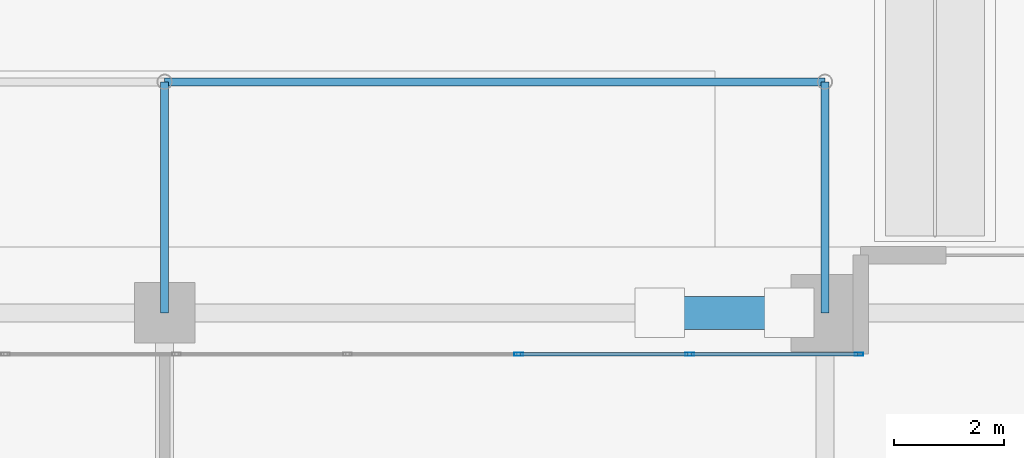
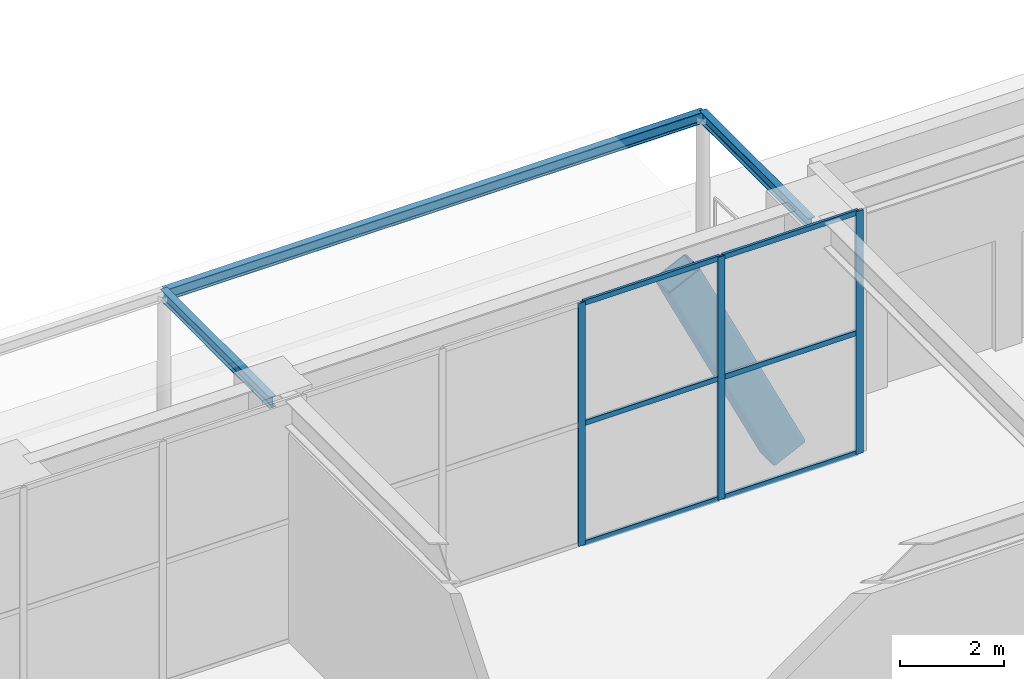
# One storey, part 29 of 49: 10 members, 3 beams, 1 element without a shape of its own.
"""IFC4 building model written with IfcOpenShell, lengths in metres."""

from ifc_helpers import new_model, si_unit, direction, frame, origin, origin_2d, place, context, subcontext, project, spatial, hollow_rectangle, i_section, extrude, material, layer, layer_set, material_profile, profile_set, type_object, element, aggregate, save


model = new_model("IFC4")

# Units and contexts
model_context = context("Model", 3, precision=1e-05, world=origin(), true_north=direction((0.0, 1.0)))
body_context = subcontext(model_context, "Body", "Model", "MODEL_VIEW")
ifc_project = project(units=[si_unit("LENGTHUNIT", "METRE"), si_unit("AREAUNIT", "SQUARE_METRE"), si_unit("VOLUMEUNIT", "CUBIC_METRE"), si_unit("PLANEANGLEUNIT", "RADIAN"), si_unit("MASSUNIT", "GRAM", prefix="KILO")], contexts=[model_context])

# Site, building, storey
site_placement = place(None, origin())
site = spatial("IfcSite", under=ifc_project, at=site_placement, CompositionType="ELEMENT")
building_placement = place(site_placement, origin())
building = spatial("IfcBuilding", under=site, at=building_placement, Name="Sarneth Arch Tower", CompositionType="ELEMENT")
storey_placement = place(building_placement, origin())
storey = spatial("IfcBuildingStorey", under=building, at=storey_placement, Name="L00", CompositionType="ELEMENT", Elevation=0.0)

# Beams
ifc_material_1 = material(Name="Steel S355", Category="steel")
ifc_material_profile_1 = material_profile(ifc_material_1, i_section(OverallWidth=0.14794921875, OverallDepth=0.26611328125, WebThickness=0.007568359375, FlangeThickness=0.012939453125, FilletRadius=0.012939453125, at=origin_2d()), Name="W250x44.8")
ifc_profile_set_1 = profile_set([ifc_material_profile_1], Name="Steel S355")
beam_type = type_object("IfcBeamType", Name="BM-JOIST-250", PredefinedType="JOIST", material=ifc_profile_set_1)
for number, where, z_axis, x_axis, name in (
    (1, (54.0, 74.800048828125, 5.159912109375), (0.0, 1.0, 0.0), (-1.0, 0.0, 0.0), "Entrance canopy outrigger beam NORTH.3"),
    (2, (66.0, 74.800048828125, 5.159912109375), (0.0, 1.0, 0.0), (-1.0, 0.0, 0.0), "Entrance canopy outrigger beam NORTH.4"),
):
    element("IfcBeam", number, at=place(storey_placement, frame(where, z_axis=z_axis, x_axis=x_axis)), inside=storey, type_object=beam_type, Name=name, PredefinedType="JOIST", context=body_context, shape_type="SweptSolid", body=[
        extrude(i_section(OverallWidth=0.14794921875, OverallDepth=0.26611328125, WebThickness=0.007568359375, FlangeThickness=0.012939453125, FilletRadius=0.012939453125, at=origin_2d()), origin(), (0.0, 0.0, 1.0), 4.199951171875),
    ])
beam_placement = place(storey_placement, frame((54.0, 79.0, 5.159912109375), z_axis=(1.0, 0.0, 0.0), x_axis=(0.0, 1.0, 0.0)))
element("IfcBeam", 3, at=beam_placement, inside=storey, type_object=beam_type, Name="Entrance canopy edge beam NORTH.3", PredefinedType="JOIST", context=body_context, shape_type="SweptSolid", body=[
    extrude(i_section(OverallWidth=0.14794921875, OverallDepth=0.26611328125, WebThickness=0.007568359375, FlangeThickness=0.012939453125, FilletRadius=0.012939453125, at=origin_2d()), origin(), (0.0, 0.0, 1.0), 12.0),
])

# Curtain wall, members
ifc_material_2 = material(Name="Anodised aluminium Type AA25 and solar-control low-e laminated IGU", Category="aluminium")
ifc_layer = layer(ifc_material_2, 0.199951171875)
ifc_layer_set = layer_set([ifc_layer], Name="Anodised aluminium Type AA25 and solar-control low-e laminated IGU")
curtain_wall_type = type_object("IfcCurtainWallType", Name="CW-ARCH-GLAZE", PredefinedType="NOTDEFINED", material=ifc_layer_set)
curtain_wall_placement = place(storey_placement, origin())
curtain_wall = element("IfcCurtainWall", 4, at=curtain_wall_placement, inside=storey, type_object=curtain_wall_type, Name="L00 North parabolic arch portal curtain wall", PredefinedType="NOTDEFINED")
ifc_material_3 = material(Name="Anodised Aluminium 6063-T6", Category="aluminium")
ifc_material_profile_2 = material_profile(ifc_material_3, hollow_rectangle(XDim=0.06005859375, YDim=0.159912109375, WallThickness=0.00390625, at=origin_2d()), Name="AL-MULL-160x60x4")
ifc_profile_set_2 = profile_set([ifc_material_profile_2], Name="Anodised Aluminium 6063-T6")
member_type_1 = type_object("IfcMemberType", Name="CW-MULLION", PredefinedType="MULLION", material=ifc_profile_set_2)
member_1_placement = place(storey_placement, frame((66.6201171875, 74.050048828125, 0.0), z_axis=(0.0, 0.0, 1.0), x_axis=(0.0, -1.0, 0.0)))
member_1 = element("IfcMember", 5, at=member_1_placement, type_object=member_type_1, Name="CW-SYS-2 mullion 1", PredefinedType="MULLION", context=body_context, shape_type="SweptSolid", body=[
    extrude(hollow_rectangle(XDim=0.06005859375, YDim=0.159912109375, WallThickness=0.00390625, at=origin_2d()), origin(), (0.0, 0.0, 1.0), 5.719970703125),
])
member_2_placement = place(storey_placement, frame((63.541748046875, 74.050048828125, 0.0), z_axis=(0.0, 0.0, 1.0), x_axis=(0.0, -1.0, 0.0)))
member_2 = element("IfcMember", 6, at=member_2_placement, type_object=member_type_1, Name="CW-SYS-2 mullion 2", PredefinedType="MULLION", context=body_context, shape_type="SweptSolid", body=[
    extrude(hollow_rectangle(XDim=0.06005859375, YDim=0.159912109375, WallThickness=0.00390625, at=origin_2d()), origin(), (0.0, 0.0, 1.0), 5.719970703125),
])
member_3_placement = place(storey_placement, frame((60.433349609375, 74.050048828125, 0.0), z_axis=(0.0, 0.0, 1.0), x_axis=(0.0, -1.0, 0.0)))
member_3 = element("IfcMember", 7, at=member_3_placement, type_object=member_type_1, Name="CW-SYS-2 mullion 3", PredefinedType="MULLION", context=body_context, shape_type="SweptSolid", body=[
    extrude(hollow_rectangle(XDim=0.06005859375, YDim=0.159912109375, WallThickness=0.00390625, at=origin_2d()), origin(), (0.0, 0.0, 1.0), 5.719970703125),
])
ifc_material_4 = material(Name="Anodised Aluminium 6063-T6", Category="aluminium")
ifc_material_profile_3 = material_profile(ifc_material_4, hollow_rectangle(XDim=0.06005859375, YDim=0.1201171875, WallThickness=0.00390625, at=origin_2d()), Name="AL-TRAN-120x60x4")
ifc_profile_set_3 = profile_set([ifc_material_profile_3], Name="Anodised Aluminium 6063-T6")
member_type_2 = type_object("IfcMemberType", Name="CW-TRANSOM", PredefinedType="USERDEFINED", material=ifc_profile_set_3)
member_4_placement = place(storey_placement, frame((66.590087890625, 74.050048828125, 0.030029296875), z_axis=(-1.0, 0.0, 0.0), x_axis=(0.0, -1.0, 0.0)))
member_4 = element("IfcMember", 8, at=member_4_placement, type_object=member_type_2, Name="CW-SYS-2 transom 1.1", ObjectType="TRANSOM", PredefinedType="USERDEFINED", context=body_context, shape_type="SweptSolid", body=[
    extrude(hollow_rectangle(XDim=0.06005859375, YDim=0.1201171875, WallThickness=0.00390625, at=origin_2d()), origin(), (0.0, 0.0, 1.0), 3.018310546875),
])
member_5_placement = place(storey_placement, frame((66.590087890625, 74.050048828125, 2.860107421875), z_axis=(-1.0, 0.0, 0.0), x_axis=(0.0, -1.0, 0.0)))
member_5 = element("IfcMember", 9, at=member_5_placement, type_object=member_type_2, Name="CW-SYS-2 transom 1.2", ObjectType="TRANSOM", PredefinedType="USERDEFINED", context=body_context, shape_type="SweptSolid", body=[
    extrude(hollow_rectangle(XDim=0.06005859375, YDim=0.1201171875, WallThickness=0.00390625, at=origin_2d()), origin(), (0.0, 0.0, 1.0), 3.018310546875),
])
member_6_placement = place(storey_placement, frame((66.590087890625, 74.050048828125, 5.68994140625), z_axis=(-1.0, 0.0, 0.0), x_axis=(0.0, -1.0, 0.0)))
member_6 = element("IfcMember", 10, at=member_6_placement, type_object=member_type_2, Name="CW-SYS-2 transom 1.3", ObjectType="TRANSOM", PredefinedType="USERDEFINED", context=body_context, shape_type="SweptSolid", body=[
    extrude(hollow_rectangle(XDim=0.06005859375, YDim=0.1201171875, WallThickness=0.00390625, at=origin_2d()), origin(), (0.0, 0.0, 1.0), 3.018310546875),
])
member_7_placement = place(storey_placement, frame((63.51171875, 74.050048828125, 0.030029296875), z_axis=(-1.0, 0.0, 0.0), x_axis=(0.0, -1.0, 0.0)))
member_7 = element("IfcMember", 11, at=member_7_placement, type_object=member_type_2, Name="CW-SYS-2 transom 2.1", ObjectType="TRANSOM", PredefinedType="USERDEFINED", context=body_context, shape_type="SweptSolid", body=[
    extrude(hollow_rectangle(XDim=0.06005859375, YDim=0.1201171875, WallThickness=0.00390625, at=origin_2d()), origin(), (0.0, 0.0, 1.0), 3.04833984375),
])
member_8_placement = place(storey_placement, frame((63.51171875, 74.050048828125, 2.860107421875), z_axis=(-1.0, 0.0, 0.0), x_axis=(0.0, -1.0, 0.0)))
member_8 = element("IfcMember", 12, at=member_8_placement, type_object=member_type_2, Name="CW-SYS-2 transom 2.2", ObjectType="TRANSOM", PredefinedType="USERDEFINED", context=body_context, shape_type="SweptSolid", body=[
    extrude(hollow_rectangle(XDim=0.06005859375, YDim=0.1201171875, WallThickness=0.00390625, at=origin_2d()), origin(), (0.0, 0.0, 1.0), 3.04833984375),
])
member_9_placement = place(storey_placement, frame((63.51171875, 74.050048828125, 5.68994140625), z_axis=(-1.0, 0.0, 0.0), x_axis=(0.0, -1.0, 0.0)))
member_9 = element("IfcMember", 13, at=member_9_placement, type_object=member_type_2, Name="CW-SYS-2 transom 2.3", ObjectType="TRANSOM", PredefinedType="USERDEFINED", context=body_context, shape_type="SweptSolid", body=[
    extrude(hollow_rectangle(XDim=0.06005859375, YDim=0.1201171875, WallThickness=0.00390625, at=origin_2d()), origin(), (0.0, 0.0, 1.0), 3.04833984375),
])
aggregate(curtain_wall, [member_1, member_2, member_3, member_4, member_5, member_6, member_7, member_8, member_9])

# Member
ifc_material_5 = material(Name="Steel S355", Category="steel")
ifc_material_profile_4 = material_profile(ifc_material_5, hollow_rectangle(XDim=0.60009765625, YDim=0.800048828125, WallThickness=0.028076171875, InnerFilletRadius=0.0419921875, OuterFilletRadius=0.070068359375, at=origin_2d()), Name="RHS800x600x28")
ifc_profile_set_4 = profile_set([ifc_material_profile_4], Name="Steel S355")
member_type_3 = type_object("IfcMemberType", Name="MEM-ARCH-CHORD", PredefinedType="CHORD", material=ifc_profile_set_4)
member_10_placement = place(storey_placement, frame((63.0, 74.800048828125, 5.03125), z_axis=(0.433788519804, 0.0, -0.901014716909), x_axis=(0.0, 1.0, 0.0)))
element("IfcMember", 14, at=member_10_placement, inside=storey, type_object=member_type_3, Name="Podium parabolic arch rib 6 segment 12", PredefinedType="CHORD", context=body_context, shape_type="SweptSolid", body=[
    extrude(hollow_rectangle(XDim=0.60009765625, YDim=0.800048828125, WallThickness=0.028076171875, InnerFilletRadius=0.0419921875, OuterFilletRadius=0.070068359375, at=origin_2d()), origin(), (0.0, 0.0, 1.0), 5.417724609375),
])

save(model, "model.ifc")
